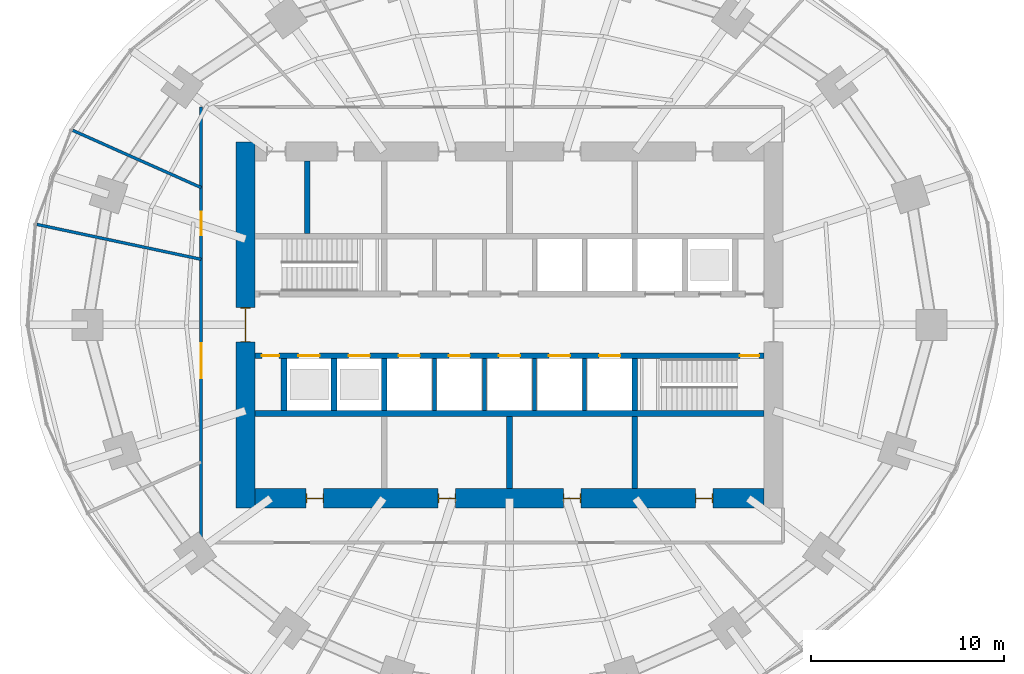
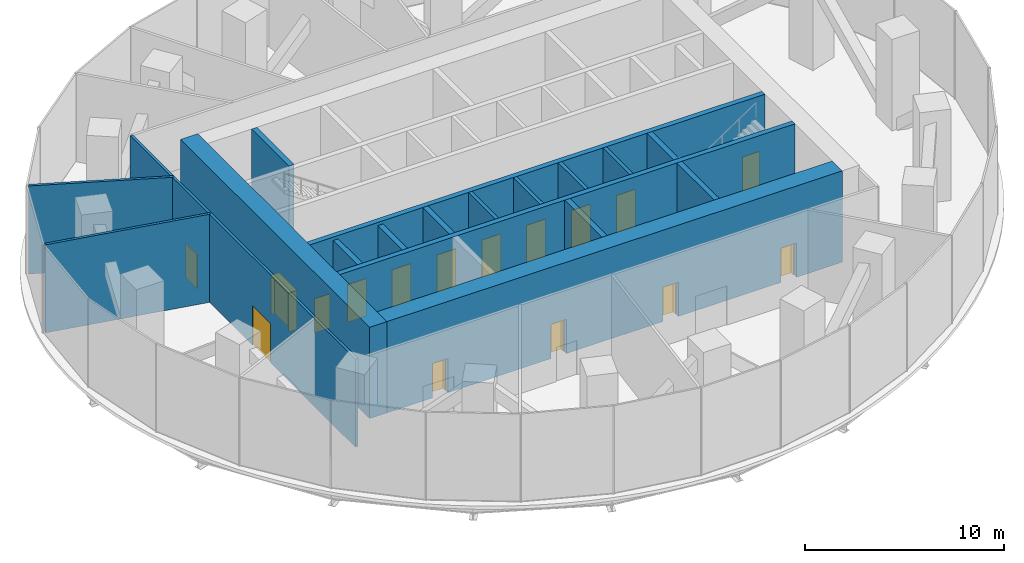
# One storey, part 10 of 14: 18 walls, 16 doors, 16 openings.
"""IFC4 building model written with IfcOpenShell, lengths in metres."""

import ifcopenshell
import ifcopenshell.guid

model = None  # the IFC model being written
_history = None  # IfcOwnerHistory: only IFC2X3 demands one
_inside = {}  # id of a spatial element -> (the spatial element, [elements in it])
_under = {}  # id of a project, library or spatial element -> (it, [spatial elements below it])
_declared = {}  # id of a project -> (the project, [libraries it declares])
_typed = {}  # id of a type object -> (the type object, [elements of that type])
_made_of = {}  # id of a material, layer set ... -> (it, [elements and type objects made of it])


def new_model(schema):
    """Start an empty IFC model of exactly this schema.

    Asked for "IFC4X3", IfcOpenShell would pick the latest addendum, in which some entities
    have other attributes; the version numbers below select the first issue.
    IFC2X3 requires an IfcOwnerHistory on every rooted entity: one is made here for all.
    """
    global model, _history
    if schema == "IFC4X3":
        model = ifcopenshell.file(schema_version=(4, 3, 0, 0))
    else:
        model = ifcopenshell.file(schema=schema)
    _inside.clear()
    _under.clear()
    _declared.clear()
    _typed.clear()
    _made_of.clear()
    _history = None
    if model.schema == "IFC2X3":
        org = make("IfcOrganization", Name="unknown")
        user = make(
            "IfcPersonAndOrganization",
            ThePerson=make("IfcPerson", FamilyName="unknown"),
            TheOrganization=org,
        )
        app = make(
            "IfcApplication",
            ApplicationDeveloper=org,
            Version="unknown",
            ApplicationFullName="unknown",
            ApplicationIdentifier="unknown",
        )
        _history = make(
            "IfcOwnerHistory",
            OwningUser=user,
            OwningApplication=app,
            ChangeAction="ADDED",
            CreationDate=0,
        )
    return model


def make(cls, **values):
    """One entity of the class cls with the attributes given. An attribute that is None is left unset."""
    return model.create_entity(
        cls, **{name: value for name, value in values.items() if value is not None}
    )


def rooted(cls, **values):
    """An entity with a GlobalId (a new one), such as an element, a storey or a relation."""
    return make(cls, GlobalId=ifcopenshell.guid.new(), OwnerHistory=_history, **values)


def si_unit(unit_type, name, prefix=None):
    """IfcSIUnit, for example si_unit("LENGTHUNIT", "METRE", prefix="MILLI")."""
    return make("IfcSIUnit", UnitType=unit_type, Prefix=prefix, Name=name)


def assignment(units):
    """IfcUnitAssignment: the units of a project."""
    return None if units is None else make("IfcUnitAssignment", Units=units)


def point(xyz):
    """IfcCartesianPoint."""
    return None if xyz is None else make("IfcCartesianPoint", Coordinates=xyz)


def direction(xyz):
    """IfcDirection."""
    return None if xyz is None else make("IfcDirection", DirectionRatios=xyz)


def frame(location, z_axis=None, x_axis=None):
    """IfcAxis2Placement3D, a coordinate frame: its origin and axes. An axis left out is left unset."""
    return make(
        "IfcAxis2Placement3D",
        Location=point(location),
        Axis=direction(z_axis),
        RefDirection=direction(x_axis),
    )


def frame_2d(location, x_axis=None):
    """IfcAxis2Placement2D, a coordinate frame in the plane: its origin and x axis."""
    return make(
        "IfcAxis2Placement2D", Location=point(location), RefDirection=direction(x_axis)
    )


def origin():
    """The frame at (0, 0, 0) with its axes left unset."""
    return frame((0.0, 0.0, 0.0))


def place(relative_to, where):
    """IfcLocalPlacement: puts the frame where relative to a parent placement (None: the world)."""
    return make(
        "IfcLocalPlacement", PlacementRelTo=relative_to, RelativePlacement=where
    )


def context(
    kind, dimensions, precision=None, world=None, true_north=None, identifier=None
):
    """IfcGeometricRepresentationContext, for example the 3D "Model" context."""
    return make(
        "IfcGeometricRepresentationContext",
        ContextIdentifier=identifier,
        ContextType=kind,
        CoordinateSpaceDimension=dimensions,
        Precision=precision,
        WorldCoordinateSystem=world,
        TrueNorth=true_north,
    )


def subcontext(parent, identifier, kind, view, scale=None):
    """IfcGeometricRepresentationSubContext, for example "Body" below "Model"."""
    return make(
        "IfcGeometricRepresentationSubContext",
        ContextIdentifier=identifier,
        ContextType=kind,
        ParentContext=parent,
        TargetScale=scale,
        TargetView=view,
    )


def project(units=None, contexts=None):
    """IfcProject with its units and contexts."""
    return rooted(
        "IfcProject",
        Name="project",
        RepresentationContexts=contexts,
        UnitsInContext=assignment(units),
    )


def spatial(cls, under=None, at=None, **own):
    """A site, building, storey or space (cls), placed at a placement, below another one or the project."""
    s = rooted(cls, ObjectPlacement=at, **own)
    if under is not None:
        _under.setdefault(under.id(), (under, []))[1].append(s)
    return s


def profile(cls, at=None, kind="AREA", **sizes):
    """A parametric profile (cls). Its sizes go by their IFC names, for example OverallWidth=200.0."""
    return make(cls, ProfileType=kind, Position=at, **sizes)


def rectangle(**sizes):
    """IfcRectangleProfileDef."""
    return profile("IfcRectangleProfileDef", **sizes)


def extrude(swept, where, along, depth):
    """IfcExtrudedAreaSolid: the profile swept, set in the frame where, extruded along a direction by depth."""
    return make(
        "IfcExtrudedAreaSolid",
        SweptArea=swept,
        Position=where,
        ExtrudedDirection=direction(along),
        Depth=depth,
    )


def shape(context_of_items, identifier, shape_type, items):
    """IfcShapeRepresentation: the items that make up one representation, for example the "Body"."""
    return make(
        "IfcShapeRepresentation",
        ContextOfItems=context_of_items,
        RepresentationIdentifier=identifier,
        RepresentationType=shape_type,
        Items=items,
    )


def material(Name=None, Category=None):
    """IfcMaterial."""
    return make("IfcMaterial", Name=Name, Category=Category)


def layer(
    of_material, thickness, ventilated=None, Name=None, Category=None, Priority=None
):
    """IfcMaterialLayer: one layer of a wall or slab, of a material (None: an air gap)."""
    return make(
        "IfcMaterialLayer",
        Material=of_material,
        LayerThickness=thickness,
        IsVentilated=ventilated,
        Name=Name,
        Category=Category,
        Priority=Priority,
    )


def layer_set(layers, Name=None):
    """IfcMaterialLayerSet."""
    return make("IfcMaterialLayerSet", MaterialLayers=layers, LayerSetName=Name)


def made_of(thing, what):
    """Note that an element or type object is made of a material, layer set ...; save() writes the relation."""
    if what is not None:
        _made_of.setdefault(what.id(), (what, []))[1].append(thing)
    return thing


def type_object(cls, material=None, **own):
    """A type object (cls), such as IfcWallType, which elements share."""
    return made_of(rooted(cls, **own), material)


def element(
    cls,
    number,
    at=None,
    inside=None,
    cuts=None,
    type_object=None,
    material=None,
    context=None,
    identifier="Body",
    shape_type=None,
    held_by="IfcProductDefinitionShape",
    body=None,
    shapes=None,
    **own,
):
    """One element of the class cls, such as IfcWall. Its Tag is "e" and its number.

    at: its placement. inside: the storey or other place that contains it. cuts: it is an
    opening in that element (IfcRelVoidsElement). A single representation is given by context,
    identifier, shape_type and body (its items); several are given by shapes. held_by: the class
    of the entity that holds the representations. save() writes the other relations.
    """
    e = rooted(cls, Tag="e%d" % number, ObjectPlacement=at, **own)
    if body is not None:
        shapes = [shape(context, identifier, shape_type, body)]
    if shapes is not None:
        e.Representation = make(held_by, Representations=shapes)
    if inside is not None:
        _inside.setdefault(inside.id(), (inside, []))[1].append(e)
    if cuts is not None:
        rooted(
            "IfcRelVoidsElement", RelatingBuildingElement=cuts, RelatedOpeningElement=e
        )
    if type_object is not None:
        _typed.setdefault(type_object.id(), (type_object, []))[1].append(e)
    return made_of(e, material)


def fill(opening, filler):
    """IfcRelFillsElement: the door or window that sits in an opening."""
    return rooted(
        "IfcRelFillsElement",
        RelatingOpeningElement=opening,
        RelatedBuildingElement=filler,
    )


def aggregate(whole, parts):
    """IfcRelAggregates: a whole, such as a stair, and the parts it consists of."""
    return rooted("IfcRelAggregates", RelatingObject=whole, RelatedObjects=parts)


def save(model, path):
    """Write the relations noted so far, then the file.

    IfcRelAggregates (storeys below a building ...), IfcRelContainedInSpatialStructure (elements
    in a storey), IfcRelDefinesByType, IfcRelAssociatesMaterial and IfcRelDeclares: one each for
    every whole, place, type object, material and project.
    """
    for whole, parts in _under.values():
        aggregate(whole, parts)
    for where, things in _inside.values():
        rooted(
            "IfcRelContainedInSpatialStructure",
            RelatedElements=things,
            RelatingStructure=where,
        )
    for kind, things in _typed.values():
        rooted("IfcRelDefinesByType", RelatedObjects=things, RelatingType=kind)
    for what, things in _made_of.values():
        rooted("IfcRelAssociatesMaterial", RelatedObjects=things, RelatingMaterial=what)
    for by, libraries in _declared.values():
        rooted("IfcRelDeclares", RelatingContext=by, RelatedDefinitions=libraries)
    model.write(path)


model = new_model("IFC4")

# Units and contexts
model_context = context("Model", 3, precision=1e-05, world=origin(), true_north=direction((0.0, 1.0)))
body_context = subcontext(model_context, "Body", "Model", "MODEL_VIEW")
ifc_project = project(units=[si_unit("LENGTHUNIT", "METRE"), si_unit("AREAUNIT", "SQUARE_METRE"), si_unit("VOLUMEUNIT", "CUBIC_METRE"), si_unit("PLANEANGLEUNIT", "RADIAN"), si_unit("MASSUNIT", "GRAM", prefix="KILO")], contexts=[model_context])

# Site, building, storey
site_placement = place(None, origin())
site = spatial("IfcSite", under=ifc_project, at=site_placement, CompositionType="ELEMENT")
building_placement = place(site_placement, origin())
building = spatial("IfcBuilding", under=site, at=building_placement, Name="Marramba Exchange Tower", CompositionType="ELEMENT")
storey_placement = place(building_placement, frame((0.0, 0.0, 166.5)))
storey = spatial("IfcBuildingStorey", under=building, at=storey_placement, Name="L40", CompositionType="ELEMENT", Elevation=166.5)

# Walls
ifc_material_1 = material(Name="Concrete N50", Category="concrete")
ifc_layer_1 = layer(ifc_material_1, 0.199951171875)
ifc_layer_set_1 = layer_set([ifc_layer_1], Name="Core shaft wall 200")
wall_type_1 = type_object("IfcWallType", Name="Core shaft wall 200", PredefinedType="SHEAR", material=ifc_layer_set_1)
for number, where, z_axis, x_axis, name in (
    (1, (-3.89990234375, -1.75, 0.0), (0.0, 0.0, 1.0), (0.0, -1.0, 0.0), "Core wall SHS1 L40"),
    (2, (-1.300048828125, -1.75, 0.0), (0.0, 0.0, 1.0), (0.0, -1.0, 0.0), "Core wall SHS2 L40"),
    (3, (1.300048828125, -1.75, 0.0), (0.0, 0.0, 1.0), (0.0, -1.0, 0.0), "Core wall SHS3 L40"),
    (4, (3.89990234375, -1.75, 0.0), (0.0, 0.0, 1.0), (0.0, -1.0, 0.0), "Core wall SHS4 L40"),
):
    element("IfcWall", number, at=place(storey_placement, frame(where, z_axis=z_axis, x_axis=x_axis)), inside=storey, type_object=wall_type_1, Name=name, PredefinedType="SHEAR", context=body_context, shape_type="SweptSolid", body=[
        extrude(rectangle(XDim=2.699951171875, YDim=0.199951171875, at=frame_2d((1.35009765625, 0.0))), origin(), (0.0, 0.0, 1.0), 5.60009765625),
    ])

# Wall, openings, doors
ifc_layer_2 = layer(ifc_material_1, 1.0)
ifc_layer_set_2 = layer_set([ifc_layer_2], Name="Core wall 1000")
wall_type_2 = type_object("IfcWallType", Name="Core wall 1000", PredefinedType="SHEAR", material=ifc_layer_set_2)
wall_1_placement = place(storey_placement, frame((-13.199951171875, -9.0, 0.0), z_axis=(0.0, 0.0, 1.0), x_axis=(1.0, 0.0, 0.0)))
wall_1 = element("IfcWall", 5, at=wall_1_placement, inside=storey, type_object=wall_type_2, Name="Core wall S L40", PredefinedType="SHEAR", context=body_context, shape_type="SweptSolid", body=[
    extrude(rectangle(XDim=26.39990234375, YDim=1.0, at=frame_2d((13.199951171875, 0.0))), origin(), (0.0, 0.0, 1.0), 5.60009765625),
])
opening_1_placement = place(wall_1_placement, frame((2.64990234375, 0.0, 0.0)))
opening_1 = element("IfcOpeningElement", 6, at=opening_1_placement, cuts=wall_1, Name="Opening D5", PredefinedType="OPENING", context=body_context, shape_type="SweptSolid", body=[
    extrude(rectangle(XDim=0.89990234375, YDim=2.10009765625, at=frame_2d((0.449951171875, 1.050048828125))), frame((0.0, 0.510009765625, 0.0), z_axis=(0.0, -1.0, 0.0), x_axis=(1.0, 0.0, 0.0)), (0.0, 0.0, 1.0), 1.02001953125),
])
opening_2_placement = place(wall_1_placement, frame((9.5, 0.0, 0.0)))
opening_2 = element("IfcOpeningElement", 7, at=opening_2_placement, cuts=wall_1, Name="Opening D5", PredefinedType="OPENING", context=body_context, shape_type="SweptSolid", body=[
    extrude(rectangle(XDim=0.89990234375, YDim=2.10009765625, at=frame_2d((0.449951171875, 1.050048828125))), frame((0.0, 0.510009765625, 0.0), z_axis=(0.0, -1.0, 0.0), x_axis=(1.0, 0.0, 0.0)), (0.0, 0.0, 1.0), 1.02001953125),
])
opening_3_placement = place(wall_1_placement, frame((16.0, 0.0, 0.0)))
opening_3 = element("IfcOpeningElement", 8, at=opening_3_placement, cuts=wall_1, Name="Opening D5", PredefinedType="OPENING", context=body_context, shape_type="SweptSolid", body=[
    extrude(rectangle(XDim=0.89990234375, YDim=2.10009765625, at=frame_2d((0.449951171875, 1.050048828125))), frame((0.0, 0.510009765625, 0.0), z_axis=(0.0, -1.0, 0.0), x_axis=(1.0, 0.0, 0.0)), (0.0, 0.0, 1.0), 1.02001953125),
])
opening_4_placement = place(wall_1_placement, frame((22.85009765625, 0.0, 0.0)))
opening_4 = element("IfcOpeningElement", 9, at=opening_4_placement, cuts=wall_1, Name="Opening D5", PredefinedType="OPENING", context=body_context, shape_type="SweptSolid", body=[
    extrude(rectangle(XDim=0.89990234375, YDim=2.10009765625, at=frame_2d((0.449951171875, 1.050048828125))), frame((0.0, 0.510009765625, 0.0), z_axis=(0.0, -1.0, 0.0), x_axis=(1.0, 0.0, 0.0)), (0.0, 0.0, 1.0), 1.02001953125),
])
ifc_material_2 = material(Name="Steel-framed door", Category="steel")
door_type_1 = type_object("IfcDoorType", Name="Service door 900x2100", OperationType="SINGLE_SWING_LEFT", PredefinedType="DOOR", material=ifc_material_2)
door_1_placement = place(opening_1_placement, origin())
door_1 = element("IfcDoor", 10, at=door_1_placement, inside=storey, type_object=door_type_1, Name="D5 ahu L40", OperationType="SINGLE_SWING_LEFT", OverallHeight=2.10009765625, OverallWidth=0.89990234375, PredefinedType="DOOR", context=body_context, shape_type="SweptSolid", body=[
    extrude(rectangle(XDim=0.81982421875, YDim=2.06005859375, at=frame_2d((0.449951171875, 1.030029296875))), frame((0.0, 0.02490234375, 0.0), z_axis=(0.0, -1.0, 0.0), x_axis=(1.0, 0.0, 0.0)), (0.0, 0.0, 1.0), 0.050048828125),
    extrude(rectangle(XDim=0.04, YDim=2.10009765625, at=frame_2d((0.02001953125, 1.050048828125))), frame((0.0, 0.25, 0.0), z_axis=(0.0, -1.0, 0.0), x_axis=(1.0, 0.0, 0.0)), (0.0, 0.0, 1.0), 0.5),
    extrude(rectangle(XDim=0.04, YDim=2.10009765625, at=frame_2d((0.8798828125, 1.050048828125))), frame((0.0, 0.25, 0.0), z_axis=(0.0, -1.0, 0.0), x_axis=(1.0, 0.0, 0.0)), (0.0, 0.0, 1.0), 0.5),
    extrude(rectangle(XDim=0.81982421875, YDim=0.04, at=frame_2d((0.449951171875, 2.080078125))), frame((0.0, 0.25, 0.0), z_axis=(0.0, -1.0, 0.0), x_axis=(1.0, 0.0, 0.0)), (0.0, 0.0, 1.0), 0.5),
])
fill(opening_1, door_1)
door_2_placement = place(opening_2_placement, origin())
door_2 = element("IfcDoor", 11, at=door_2_placement, inside=storey, type_object=door_type_1, Name="D5 store L40", OperationType="SINGLE_SWING_RIGHT", OverallHeight=2.10009765625, OverallWidth=0.89990234375, PredefinedType="DOOR", context=body_context, shape_type="SweptSolid", body=[
    extrude(rectangle(XDim=0.81982421875, YDim=2.06005859375, at=frame_2d((0.449951171875, 1.030029296875))), frame((0.0, 0.02490234375, 0.0), z_axis=(0.0, -1.0, 0.0), x_axis=(1.0, 0.0, 0.0)), (0.0, 0.0, 1.0), 0.050048828125),
    extrude(rectangle(XDim=0.04, YDim=2.10009765625, at=frame_2d((0.02001953125, 1.050048828125))), frame((0.0, 0.25, 0.0), z_axis=(0.0, -1.0, 0.0), x_axis=(1.0, 0.0, 0.0)), (0.0, 0.0, 1.0), 0.5),
    extrude(rectangle(XDim=0.04, YDim=2.10009765625, at=frame_2d((0.8798828125, 1.050048828125))), frame((0.0, 0.25, 0.0), z_axis=(0.0, -1.0, 0.0), x_axis=(1.0, 0.0, 0.0)), (0.0, 0.0, 1.0), 0.5),
    extrude(rectangle(XDim=0.81982421875, YDim=0.04, at=frame_2d((0.449951171875, 2.080078125))), frame((0.0, 0.25, 0.0), z_axis=(0.0, -1.0, 0.0), x_axis=(1.0, 0.0, 0.0)), (0.0, 0.0, 1.0), 0.5),
])
fill(opening_2, door_2)
door_3_placement = place(opening_3_placement, origin())
door_3 = element("IfcDoor", 12, at=door_3_placement, inside=storey, type_object=door_type_1, Name="D5 switch L40", OperationType="SINGLE_SWING_RIGHT", OverallHeight=2.10009765625, OverallWidth=0.89990234375, PredefinedType="DOOR", context=body_context, shape_type="SweptSolid", body=[
    extrude(rectangle(XDim=0.81982421875, YDim=2.06005859375, at=frame_2d((0.449951171875, 1.030029296875))), frame((0.0, 0.02490234375, 0.0), z_axis=(0.0, -1.0, 0.0), x_axis=(1.0, 0.0, 0.0)), (0.0, 0.0, 1.0), 0.050048828125),
    extrude(rectangle(XDim=0.04, YDim=2.10009765625, at=frame_2d((0.02001953125, 1.050048828125))), frame((0.0, 0.25, 0.0), z_axis=(0.0, -1.0, 0.0), x_axis=(1.0, 0.0, 0.0)), (0.0, 0.0, 1.0), 0.5),
    extrude(rectangle(XDim=0.04, YDim=2.10009765625, at=frame_2d((0.8798828125, 1.050048828125))), frame((0.0, 0.25, 0.0), z_axis=(0.0, -1.0, 0.0), x_axis=(1.0, 0.0, 0.0)), (0.0, 0.0, 1.0), 0.5),
    extrude(rectangle(XDim=0.81982421875, YDim=0.04, at=frame_2d((0.449951171875, 2.080078125))), frame((0.0, 0.25, 0.0), z_axis=(0.0, -1.0, 0.0), x_axis=(1.0, 0.0, 0.0)), (0.0, 0.0, 1.0), 0.5),
])
fill(opening_3, door_3)
door_4_placement = place(opening_4_placement, origin())
door_4 = element("IfcDoor", 13, at=door_4_placement, inside=storey, type_object=door_type_1, Name="D5 cstore L40", OperationType="SINGLE_SWING_RIGHT", OverallHeight=2.10009765625, OverallWidth=0.89990234375, PredefinedType="DOOR", context=body_context, shape_type="SweptSolid", body=[
    extrude(rectangle(XDim=0.81982421875, YDim=2.06005859375, at=frame_2d((0.449951171875, 1.030029296875))), frame((0.0, 0.02490234375, 0.0), z_axis=(0.0, -1.0, 0.0), x_axis=(1.0, 0.0, 0.0)), (0.0, 0.0, 1.0), 0.050048828125),
    extrude(rectangle(XDim=0.04, YDim=2.10009765625, at=frame_2d((0.02001953125, 1.050048828125))), frame((0.0, 0.25, 0.0), z_axis=(0.0, -1.0, 0.0), x_axis=(1.0, 0.0, 0.0)), (0.0, 0.0, 1.0), 0.5),
    extrude(rectangle(XDim=0.04, YDim=2.10009765625, at=frame_2d((0.8798828125, 1.050048828125))), frame((0.0, 0.25, 0.0), z_axis=(0.0, -1.0, 0.0), x_axis=(1.0, 0.0, 0.0)), (0.0, 0.0, 1.0), 0.5),
    extrude(rectangle(XDim=0.81982421875, YDim=0.04, at=frame_2d((0.449951171875, 2.080078125))), frame((0.0, 0.25, 0.0), z_axis=(0.0, -1.0, 0.0), x_axis=(1.0, 0.0, 0.0)), (0.0, 0.0, 1.0), 0.5),
])
fill(opening_4, door_4)

# Wall, opening, door
wall_2_placement = place(storey_placement, frame((-13.699951171875, 9.5, 0.0), z_axis=(0.0, 0.0, 1.0), x_axis=(0.0, -1.0, 0.0)))
wall_2 = element("IfcWall", 14, at=wall_2_placement, inside=storey, type_object=wall_type_2, Name="Core wall W L40", PredefinedType="SHEAR", context=body_context, shape_type="SweptSolid", body=[
    extrude(rectangle(XDim=19.0, YDim=1.0, at=frame_2d((9.5, 0.0))), origin(), (0.0, 0.0, 1.0), 5.60009765625),
])
opening_5_placement = place(wall_2_placement, frame((8.60009765625, 0.0, 0.0)))
opening_5 = element("IfcOpeningElement", 15, at=opening_5_placement, cuts=wall_2, Name="Opening D1", PredefinedType="OPENING", context=body_context, shape_type="SweptSolid", body=[
    extrude(rectangle(XDim=1.800048828125, YDim=2.39990234375, at=frame_2d((0.89990234375, 1.199951171875))), frame((0.0, 0.510009765625, 0.0), z_axis=(0.0, -1.0, 0.0), x_axis=(1.0, 0.0, 0.0)), (0.0, 0.0, 1.0), 1.02001953125),
])
door_type_2 = type_object("IfcDoorType", Name="Lobby exit door 1800x2400", OperationType="DOUBLE_DOOR_SINGLE_SWING", PredefinedType="DOOR", material=ifc_material_2)
door_5_placement = place(opening_5_placement, origin())
door_5 = element("IfcDoor", 16, at=door_5_placement, inside=storey, type_object=door_type_2, Name="D1 lobby exit west L40", OperationType="DOUBLE_DOOR_SINGLE_SWING", OverallHeight=2.39990234375, OverallWidth=1.800048828125, PredefinedType="DOOR", context=body_context, shape_type="SweptSolid", body=[
    extrude(rectangle(XDim=1.719970703125, YDim=2.35986328125, at=frame_2d((0.89990234375, 1.179931640625))), frame((0.0, 0.02490234375, 0.0), z_axis=(0.0, -1.0, 0.0), x_axis=(1.0, 0.0, 0.0)), (0.0, 0.0, 1.0), 0.050048828125),
    extrude(rectangle(XDim=0.04, YDim=2.39990234375, at=frame_2d((0.02001953125, 1.199951171875))), frame((0.0, 0.25, 0.0), z_axis=(0.0, -1.0, 0.0), x_axis=(1.0, 0.0, 0.0)), (0.0, 0.0, 1.0), 0.5),
    extrude(rectangle(XDim=0.04, YDim=2.39990234375, at=frame_2d((1.780029296875, 1.199951171875))), frame((0.0, 0.25, 0.0), z_axis=(0.0, -1.0, 0.0), x_axis=(1.0, 0.0, 0.0)), (0.0, 0.0, 1.0), 0.5),
    extrude(rectangle(XDim=1.719970703125, YDim=0.04, at=frame_2d((0.89990234375, 2.3798828125))), frame((0.0, 0.25, 0.0), z_axis=(0.0, -1.0, 0.0), x_axis=(1.0, 0.0, 0.0)), (0.0, 0.0, 1.0), 0.5),
])
fill(opening_5, door_5)

# Wall, openings, doors
ifc_layer_3 = layer(ifc_material_1, 0.300048828125)
ifc_layer_set_3 = layer_set([ifc_layer_3], Name="Core wall 300")
wall_type_3 = type_object("IfcWallType", Name="Core wall 300", PredefinedType="SHEAR", material=ifc_layer_set_3)
wall_3_placement = place(storey_placement, frame((-13.199951171875, -1.60009765625, 0.0), z_axis=(0.0, 0.0, 1.0), x_axis=(1.0, 0.0, 0.0)))
wall_3 = element("IfcWall", 17, at=wall_3_placement, inside=storey, type_object=wall_type_3, Name="Core wall LS L40", PredefinedType="SHEAR", context=body_context, shape_type="SweptSolid", body=[
    extrude(rectangle(XDim=26.39990234375, YDim=0.300048828125, at=frame_2d((13.199951171875, 0.0))), origin(), (0.0, 0.0, 1.0), 5.60009765625),
])
opening_6_placement = place(wall_3_placement, frame((25.14990234375, 0.0, 0.0)))
opening_6 = element("IfcOpeningElement", 18, at=opening_6_placement, cuts=wall_3, Name="Opening D2", PredefinedType="OPENING", context=body_context, shape_type="SweptSolid", body=[
    extrude(rectangle(XDim=1.0, YDim=2.10009765625, at=frame_2d((0.5, 1.050048828125))), frame((0.0, 0.159912109375, 0.0), z_axis=(0.0, -1.0, 0.0), x_axis=(1.0, 0.0, 0.0)), (0.0, 0.0, 1.0), 0.320068359375),
])
opening_7_placement = place(wall_3_placement, frame((7.449951171875, 0.0, 0.0)))
opening_7 = element("IfcOpeningElement", 19, at=opening_7_placement, cuts=wall_3, Name="Opening LD1", PredefinedType="OPENING", context=body_context, shape_type="SweptSolid", body=[
    extrude(rectangle(XDim=1.10009765625, YDim=2.300048828125, at=frame_2d((0.550048828125, 1.14990234375))), frame((0.0, 0.159912109375, 0.0), z_axis=(0.0, -1.0, 0.0), x_axis=(1.0, 0.0, 0.0)), (0.0, 0.0, 1.0), 0.320068359375),
])
opening_8_placement = place(wall_3_placement, frame((10.050048828125, 0.0, 0.0)))
opening_8 = element("IfcOpeningElement", 20, at=opening_8_placement, cuts=wall_3, Name="Opening LD1", PredefinedType="OPENING", context=body_context, shape_type="SweptSolid", body=[
    extrude(rectangle(XDim=1.10009765625, YDim=2.300048828125, at=frame_2d((0.550048828125, 1.14990234375))), frame((0.0, 0.159912109375, 0.0), z_axis=(0.0, -1.0, 0.0), x_axis=(1.0, 0.0, 0.0)), (0.0, 0.0, 1.0), 0.320068359375),
])
opening_9_placement = place(wall_3_placement, frame((12.64990234375, 0.0, 0.0)))
opening_9 = element("IfcOpeningElement", 21, at=opening_9_placement, cuts=wall_3, Name="Opening LD1", PredefinedType="OPENING", context=body_context, shape_type="SweptSolid", body=[
    extrude(rectangle(XDim=1.10009765625, YDim=2.300048828125, at=frame_2d((0.550048828125, 1.14990234375))), frame((0.0, 0.159912109375, 0.0), z_axis=(0.0, -1.0, 0.0), x_axis=(1.0, 0.0, 0.0)), (0.0, 0.0, 1.0), 0.320068359375),
])
opening_10_placement = place(wall_3_placement, frame((15.25, 0.0, 0.0)))
opening_10 = element("IfcOpeningElement", 22, at=opening_10_placement, cuts=wall_3, Name="Opening LD2", PredefinedType="OPENING", context=body_context, shape_type="SweptSolid", body=[
    extrude(rectangle(XDim=1.10009765625, YDim=2.300048828125, at=frame_2d((0.550048828125, 1.14990234375))), frame((0.0, 0.159912109375, 0.0), z_axis=(0.0, -1.0, 0.0), x_axis=(1.0, 0.0, 0.0)), (0.0, 0.0, 1.0), 0.320068359375),
])
opening_11_placement = place(wall_3_placement, frame((17.85009765625, 0.0, 0.0)))
opening_11 = element("IfcOpeningElement", 23, at=opening_11_placement, cuts=wall_3, Name="Opening LD2", PredefinedType="OPENING", context=body_context, shape_type="SweptSolid", body=[
    extrude(rectangle(XDim=1.10009765625, YDim=2.300048828125, at=frame_2d((0.550048828125, 1.14990234375))), frame((0.0, 0.159912109375, 0.0), z_axis=(0.0, -1.0, 0.0), x_axis=(1.0, 0.0, 0.0)), (0.0, 0.0, 1.0), 0.320068359375),
])
opening_12_placement = place(wall_3_placement, frame((4.85009765625, 0.0, 0.0)))
opening_12 = element("IfcOpeningElement", 24, at=opening_12_placement, cuts=wall_3, Name="Opening LD1", PredefinedType="OPENING", context=body_context, shape_type="SweptSolid", body=[
    extrude(rectangle(XDim=1.10009765625, YDim=2.300048828125, at=frame_2d((0.550048828125, 1.14990234375))), frame((0.0, 0.159912109375, 0.0), z_axis=(0.0, -1.0, 0.0), x_axis=(1.0, 0.0, 0.0)), (0.0, 0.0, 1.0), 0.320068359375),
])
opening_13_placement = place(wall_3_placement, frame((2.25, 0.0, 0.0)))
opening_13 = element("IfcOpeningElement", 25, at=opening_13_placement, cuts=wall_3, Name="Opening LD1", PredefinedType="OPENING", context=body_context, shape_type="SweptSolid", body=[
    extrude(rectangle(XDim=1.10009765625, YDim=2.300048828125, at=frame_2d((0.550048828125, 1.14990234375))), frame((0.0, 0.159912109375, 0.0), z_axis=(0.0, -1.0, 0.0), x_axis=(1.0, 0.0, 0.0)), (0.0, 0.0, 1.0), 0.320068359375),
])
opening_14_placement = place(wall_3_placement, frame((0.35009765625, 0.0, 0.0)))
opening_14 = element("IfcOpeningElement", 26, at=opening_14_placement, cuts=wall_3, Name="Opening D5", PredefinedType="OPENING", context=body_context, shape_type="SweptSolid", body=[
    extrude(rectangle(XDim=0.89990234375, YDim=2.10009765625, at=frame_2d((0.449951171875, 1.050048828125))), frame((0.0, 0.159912109375, 0.0), z_axis=(0.0, -1.0, 0.0), x_axis=(1.0, 0.0, 0.0)), (0.0, 0.0, 1.0), 0.320068359375),
])
door_type_3 = type_object("IfcDoorType", Name="Emergency lift landing door 1100x2300", OperationType="SLIDING_TO_LEFT", PredefinedType="DOOR", material=ifc_material_2)
door_6_placement = place(opening_10_placement, frame((1.10009765625, 0.0, 0.0), z_axis=(0.0, 0.0, 1.0), x_axis=(-1.0, 0.0, 0.0)))
door_6 = element("IfcDoor", 27, at=door_6_placement, inside=storey, type_object=door_type_3, Name="FL1 landing door L40", OperationType="SLIDING_TO_RIGHT", OverallHeight=2.300048828125, OverallWidth=1.10009765625, PredefinedType="DOOR", context=body_context, shape_type="SweptSolid", body=[
    extrude(rectangle(XDim=1.10009765625, YDim=2.300048828125, at=frame_2d((0.550048828125, 1.14990234375))), frame((0.0, 0.025146484375, 0.0), z_axis=(0.0, -1.0, 0.0), x_axis=(1.0, 0.0, 0.0)), (0.0, 0.0, 1.0), 0.050048828125),
])
fill(opening_10, door_6)
door_7_placement = place(opening_11_placement, frame((1.10009765625, 0.0, 0.0), z_axis=(0.0, 0.0, 1.0), x_axis=(-1.0, 0.0, 0.0)))
door_7 = element("IfcDoor", 28, at=door_7_placement, inside=storey, type_object=door_type_3, Name="FL2 landing door L40", OperationType="SLIDING_TO_LEFT", OverallHeight=2.300048828125, OverallWidth=1.10009765625, PredefinedType="DOOR", context=body_context, shape_type="SweptSolid", body=[
    extrude(rectangle(XDim=1.10009765625, YDim=2.300048828125, at=frame_2d((0.550048828125, 1.14990234375))), frame((0.0, 0.025146484375, 0.0), z_axis=(0.0, -1.0, 0.0), x_axis=(1.0, 0.0, 0.0)), (0.0, 0.0, 1.0), 0.050048828125),
])
fill(opening_11, door_7)
door_type_4 = type_object("IfcDoorType", Name="Lift landing door 1100x2300", OperationType="SLIDING_TO_LEFT", PredefinedType="DOOR", material=ifc_material_2)
door_8_placement = place(opening_7_placement, frame((1.10009765625, 0.0, 0.0), z_axis=(0.0, 0.0, 1.0), x_axis=(-1.0, 0.0, 0.0)))
door_8 = element("IfcDoor", 29, at=door_8_placement, inside=storey, type_object=door_type_4, Name="LB1 landing door L40", OperationType="SLIDING_TO_RIGHT", OverallHeight=2.300048828125, OverallWidth=1.10009765625, PredefinedType="DOOR", context=body_context, shape_type="SweptSolid", body=[
    extrude(rectangle(XDim=1.10009765625, YDim=2.300048828125, at=frame_2d((0.550048828125, 1.14990234375))), frame((0.0, 0.025146484375, 0.0), z_axis=(0.0, -1.0, 0.0), x_axis=(1.0, 0.0, 0.0)), (0.0, 0.0, 1.0), 0.050048828125),
])
fill(opening_7, door_8)
door_9_placement = place(opening_8_placement, frame((1.10009765625, 0.0, 0.0), z_axis=(0.0, 0.0, 1.0), x_axis=(-1.0, 0.0, 0.0)))
door_9 = element("IfcDoor", 30, at=door_9_placement, inside=storey, type_object=door_type_4, Name="LB2 landing door L40", OperationType="SLIDING_TO_RIGHT", OverallHeight=2.300048828125, OverallWidth=1.10009765625, PredefinedType="DOOR", context=body_context, shape_type="SweptSolid", body=[
    extrude(rectangle(XDim=1.10009765625, YDim=2.300048828125, at=frame_2d((0.550048828125, 1.14990234375))), frame((0.0, 0.025146484375, 0.0), z_axis=(0.0, -1.0, 0.0), x_axis=(1.0, 0.0, 0.0)), (0.0, 0.0, 1.0), 0.050048828125),
])
fill(opening_8, door_9)
door_10_placement = place(opening_9_placement, frame((1.10009765625, 0.0, 0.0), z_axis=(0.0, 0.0, 1.0), x_axis=(-1.0, 0.0, 0.0)))
door_10 = element("IfcDoor", 31, at=door_10_placement, inside=storey, type_object=door_type_4, Name="LB3 landing door L40", OperationType="SLIDING_TO_RIGHT", OverallHeight=2.300048828125, OverallWidth=1.10009765625, PredefinedType="DOOR", context=body_context, shape_type="SweptSolid", body=[
    extrude(rectangle(XDim=1.10009765625, YDim=2.300048828125, at=frame_2d((0.550048828125, 1.14990234375))), frame((0.0, 0.025146484375, 0.0), z_axis=(0.0, -1.0, 0.0), x_axis=(1.0, 0.0, 0.0)), (0.0, 0.0, 1.0), 0.050048828125),
])
fill(opening_9, door_10)
door_11_placement = place(opening_12_placement, frame((1.10009765625, 0.0, 0.0), z_axis=(0.0, 0.0, 1.0), x_axis=(-1.0, 0.0, 0.0)))
door_11 = element("IfcDoor", 32, at=door_11_placement, inside=storey, type_object=door_type_4, Name="LC1 landing door L40", OperationType="SLIDING_TO_RIGHT", OverallHeight=2.300048828125, OverallWidth=1.10009765625, PredefinedType="DOOR", context=body_context, shape_type="SweptSolid", body=[
    extrude(rectangle(XDim=1.10009765625, YDim=2.300048828125, at=frame_2d((0.550048828125, 1.14990234375))), frame((0.0, 0.025146484375, 0.0), z_axis=(0.0, -1.0, 0.0), x_axis=(1.0, 0.0, 0.0)), (0.0, 0.0, 1.0), 0.050048828125),
])
fill(opening_12, door_11)
door_12_placement = place(opening_13_placement, frame((1.10009765625, 0.0, 0.0), z_axis=(0.0, 0.0, 1.0), x_axis=(-1.0, 0.0, 0.0)))
door_12 = element("IfcDoor", 33, at=door_12_placement, inside=storey, type_object=door_type_4, Name="LC2 landing door L40", OperationType="SLIDING_TO_LEFT", OverallHeight=2.300048828125, OverallWidth=1.10009765625, PredefinedType="DOOR", context=body_context, shape_type="SweptSolid", body=[
    extrude(rectangle(XDim=1.10009765625, YDim=2.300048828125, at=frame_2d((0.550048828125, 1.14990234375))), frame((0.0, 0.025146484375, 0.0), z_axis=(0.0, -1.0, 0.0), x_axis=(1.0, 0.0, 0.0)), (0.0, 0.0, 1.0), 0.050048828125),
])
fill(opening_13, door_12)
door_13_placement = place(opening_14_placement, frame((0.89990234375, 0.0, 0.0), z_axis=(0.0, 0.0, 1.0), x_axis=(-1.0, 0.0, 0.0)))
door_13 = element("IfcDoor", 34, at=door_13_placement, inside=storey, type_object=door_type_1, Name="D5 electrical riser L40", OperationType="SINGLE_SWING_LEFT", OverallHeight=2.10009765625, OverallWidth=0.89990234375, PredefinedType="DOOR", context=body_context, shape_type="SweptSolid", body=[
    extrude(rectangle(XDim=0.89990234375, YDim=2.10009765625, at=frame_2d((0.449951171875, 1.050048828125))), frame((0.0, 0.025146484375, 0.0), z_axis=(0.0, -1.0, 0.0), x_axis=(1.0, 0.0, 0.0)), (0.0, 0.0, 1.0), 0.050048828125),
])
fill(opening_14, door_13)
door_type_5 = type_object("IfcDoorType", Name="Stair door 1000x2100", OperationType="SINGLE_SWING_LEFT", PredefinedType="DOOR", material=ifc_material_2)
door_14_placement = place(opening_6_placement, frame((1.0, 0.0, 0.0), z_axis=(0.0, 0.0, 1.0), x_axis=(-1.0, 0.0, 0.0)))
door_14 = element("IfcDoor", 35, at=door_14_placement, inside=storey, type_object=door_type_5, Name="D2 stair ST2 L40", OperationType="SINGLE_SWING_LEFT", OverallHeight=2.10009765625, OverallWidth=1.0, PredefinedType="DOOR", context=body_context, shape_type="SweptSolid", body=[
    extrude(rectangle(XDim=1.0, YDim=2.10009765625, at=frame_2d((0.5, 1.050048828125))), frame((0.0, 0.025146484375, 0.0), z_axis=(0.0, -1.0, 0.0), x_axis=(1.0, 0.0, 0.0)), (0.0, 0.0, 1.0), 0.050048828125),
])
fill(opening_6, door_14)

# Walls
wall_4_placement = place(storey_placement, frame((-13.199951171875, -4.60009765625, 0.0), z_axis=(0.0, 0.0, 1.0), x_axis=(1.0, 0.0, 0.0)))
element("IfcWall", 36, at=wall_4_placement, inside=storey, type_object=wall_type_3, Name="Core wall BS L40", PredefinedType="SHEAR", context=body_context, shape_type="SweptSolid", body=[
    extrude(rectangle(XDim=26.39990234375, YDim=0.300048828125, at=frame_2d((13.199951171875, 0.0))), origin(), (0.0, 0.0, 1.0), 5.60009765625),
])
for number, where, z_axis, x_axis, name in (
    (37, (-6.5, -1.75, 0.0), (0.0, 0.0, 1.0), (0.0, -1.0, 0.0), "Core wall X0Sa L40"),
    (38, (6.5, -1.75, 0.0), (0.0, 0.0, 1.0), (0.0, -1.0, 0.0), "Core wall X1Sa L40"),
):
    element("IfcWall", number, at=place(storey_placement, frame(where, z_axis=z_axis, x_axis=x_axis)), inside=storey, type_object=wall_type_3, Name=name, PredefinedType="SHEAR", context=body_context, shape_type="SweptSolid", body=[
        extrude(rectangle(XDim=2.699951171875, YDim=0.300048828125, at=frame_2d((1.35009765625, 0.0))), origin(), (0.0, 0.0, 1.0), 5.60009765625),
    ])
for number, where, z_axis, x_axis, name in (
    (39, (6.5, -4.75, 0.0), (0.0, 0.0, 1.0), (0.0, -1.0, 0.0), "Core wall X1Sb L40"),
    (40, (0.0, -4.75, 0.0), (0.0, 0.0, 1.0), (0.0, -1.0, 0.0), "Core wall MS L40"),
    (41, (-10.5, 4.75, 0.0), (0.0, 0.0, 1.0), (0.0, 1.0, 0.0), "Core wall WD L40"),
):
    element("IfcWall", number, at=place(storey_placement, frame(where, z_axis=z_axis, x_axis=x_axis)), inside=storey, type_object=wall_type_3, Name=name, PredefinedType="SHEAR", context=body_context, shape_type="SweptSolid", body=[
        extrude(rectangle(XDim=3.75, YDim=0.300048828125, at=frame_2d((1.875, 0.0))), origin(), (0.0, 0.0, 1.0), 5.60009765625),
    ])
ifc_material_3 = material(Name="Core-filled concrete blockwork", Category="masonry")
ifc_layer_4 = layer(ifc_material_3, 0.300048828125)
ifc_layer_set_4 = layer_set([ifc_layer_4], Name="Lift shaft wall 300")
wall_type_4 = type_object("IfcWallType", Name="Lift shaft wall 300", PredefinedType="SOLIDWALL", material=ifc_layer_set_4)
for number, where, z_axis, x_axis, name in (
    (42, (-9.10009765625, -1.75, 0.0), (0.0, 0.0, 1.0), (0.0, -1.0, 0.0), "Lift shaft wall W1 L40"),
    (43, (-11.699951171875, -1.75, 0.0), (0.0, 0.0, 1.0), (0.0, -1.0, 0.0), "Lift shaft wall W2 L40"),
):
    element("IfcWall", number, at=place(storey_placement, frame(where, z_axis=z_axis, x_axis=x_axis)), inside=storey, type_object=wall_type_4, Name=name, PredefinedType="SOLIDWALL", context=body_context, shape_type="SweptSolid", body=[
        extrude(rectangle(XDim=2.699951171875, YDim=0.300048828125, at=frame_2d((1.35009765625, 0.0))), origin(), (0.0, 0.0, 1.0), 5.39990234375),
    ])
ifc_material_4 = material(Name="Fire-rated plasterboard on steel studs, acoustic insulation", Category="steel")
ifc_layer_5 = layer(ifc_material_4, 0.14990234375)
ifc_layer_set_5 = layer_set([ifc_layer_5], Name="Tenancy wall 150")
wall_type_5 = type_object("IfcWallType", Name="Tenancy wall 150", PredefinedType="PARTITIONING", material=ifc_layer_set_5)
wall_5_placement = place(storey_placement, frame((-16.0, 7.123779296875, 0.0), z_axis=(0.0, 0.0, 1.0), x_axis=(-0.913547973194, 0.406730993007, 0.0)))
element("IfcWall", 44, at=wall_5_placement, inside=storey, type_object=wall_type_5, Name="Tenancy wall L40 14", PredefinedType="PARTITIONING", context=body_context, shape_type="SweptSolid", body=[
    extrude(rectangle(XDim=7.30078125, YDim=0.14990234375, at=frame_2d((3.650390625, 0.0))), origin(), (0.0, 0.0, 1.0), 5.39990234375),
])
wall_6_placement = place(storey_placement, frame((-16.0, 3.40087890625, 0.0), z_axis=(0.0, 0.0, 1.0), x_axis=(-0.978149592602, 0.207902319596, 0.0)))
element("IfcWall", 45, at=wall_6_placement, inside=storey, type_object=wall_type_5, Name="Tenancy wall L40 15", PredefinedType="PARTITIONING", context=body_context, shape_type="SweptSolid", body=[
    extrude(rectangle(XDim=8.71337890625, YDim=0.14990234375, at=frame_2d((4.356689453125, 0.0))), origin(), (0.0, 0.0, 1.0), 5.39990234375),
])

# Wall, openings, doors
wall_7_placement = place(storey_placement, frame((-16.0, 11.300048828125, 0.0), z_axis=(0.0, 0.0, 1.0), x_axis=(0.0, -1.0, 0.0)))
wall_7 = element("IfcWall", 46, at=wall_7_placement, inside=storey, type_object=wall_type_5, Name="Tenancy wall L40 16", PredefinedType="PARTITIONING", context=body_context, shape_type="SweptSolid", body=[
    extrude(rectangle(XDim=22.60009765625, YDim=0.14990234375, at=frame_2d((11.300048828125, 0.0))), origin(), (0.0, 0.0, 1.0), 5.39990234375),
])
opening_15_placement = place(wall_7_placement, frame((5.43798828125, 0.0, 0.0)))
opening_15 = element("IfcOpeningElement", 47, at=opening_15_placement, cuts=wall_7, Name="Opening D16", PredefinedType="OPENING", context=body_context, shape_type="SweptSolid", body=[
    extrude(rectangle(XDim=1.199951171875, YDim=2.10009765625, at=frame_2d((0.60009765625, 1.050048828125))), frame((0.0, 0.0849609375, 0.0), z_axis=(0.0, -1.0, 0.0), x_axis=(1.0, 0.0, 0.0)), (0.0, 0.0, 1.0), 0.169921875),
])
opening_16_placement = place(wall_7_placement, frame((12.260986328125, 0.0, 0.0)))
opening_16 = element("IfcOpeningElement", 48, at=opening_16_placement, cuts=wall_7, Name="Opening D18", PredefinedType="OPENING", context=body_context, shape_type="SweptSolid", body=[
    extrude(rectangle(XDim=1.800048828125, YDim=2.39990234375, at=frame_2d((0.89990234375, 1.199951171875))), frame((0.0, 0.0849609375, 0.0), z_axis=(0.0, -1.0, 0.0), x_axis=(1.0, 0.0, 0.0)), (0.0, 0.0, 1.0), 0.169921875),
])
door_type_6 = type_object("IfcDoorType", Name="Door pair 1800x2400", OperationType="DOUBLE_DOOR_SINGLE_SWING", PredefinedType="DOOR", material=ifc_material_2)
door_15_placement = place(opening_16_placement, origin())
door_15 = element("IfcDoor", 49, at=door_15_placement, inside=storey, type_object=door_type_6, Name="D18 Water Transfer Tank Room L40", OperationType="DOUBLE_DOOR_SINGLE_SWING", OverallHeight=2.39990234375, OverallWidth=1.800048828125, PredefinedType="DOOR", context=body_context, shape_type="SweptSolid", body=[
    extrude(rectangle(XDim=1.800048828125, YDim=2.39990234375, at=frame_2d((0.89990234375, 1.199951171875))), frame((0.0, 0.02490234375, 0.0), z_axis=(0.0, -1.0, 0.0), x_axis=(1.0, 0.0, 0.0)), (0.0, 0.0, 1.0), 0.050048828125),
])
fill(opening_16, door_15)
door_type_7 = type_object("IfcDoorType", Name="Equipment room door 1200x2100", OperationType="SINGLE_SWING_LEFT", PredefinedType="DOOR", material=ifc_material_2)
door_16_placement = place(opening_15_placement, frame((1.199951171875, 0.0, 0.0), z_axis=(0.0, 0.0, 1.0), x_axis=(-1.0, 0.0, 0.0)))
door_16 = element("IfcDoor", 50, at=door_16_placement, inside=storey, type_object=door_type_7, Name="D16 Hydraulic Booster Pump Room L40", OperationType="SINGLE_SWING_LEFT", OverallHeight=2.10009765625, OverallWidth=1.199951171875, PredefinedType="DOOR", context=body_context, shape_type="SweptSolid", body=[
    extrude(rectangle(XDim=1.199951171875, YDim=2.10009765625, at=frame_2d((0.599853515625, 1.050048828125))), frame((0.0, 0.025146484375, 0.0), z_axis=(0.0, -1.0, 0.0), x_axis=(1.0, 0.0, 0.0)), (0.0, 0.0, 1.0), 0.050048828125),
])
fill(opening_15, door_16)

save(model, "model.ifc")
